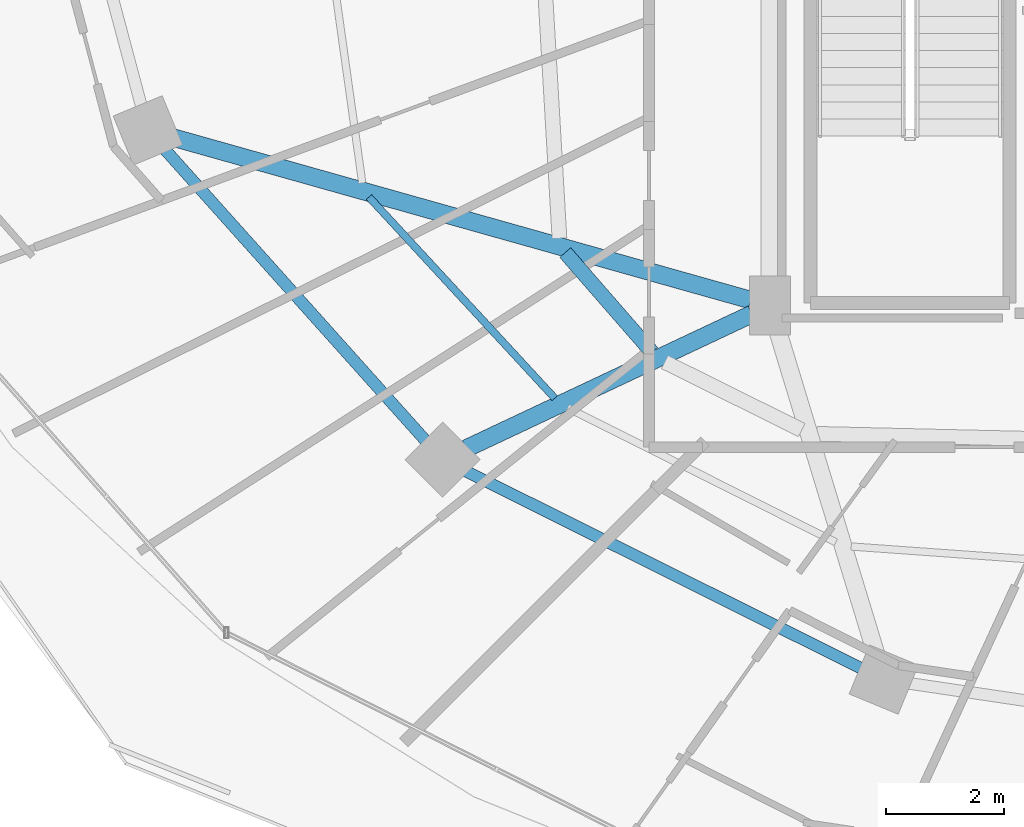
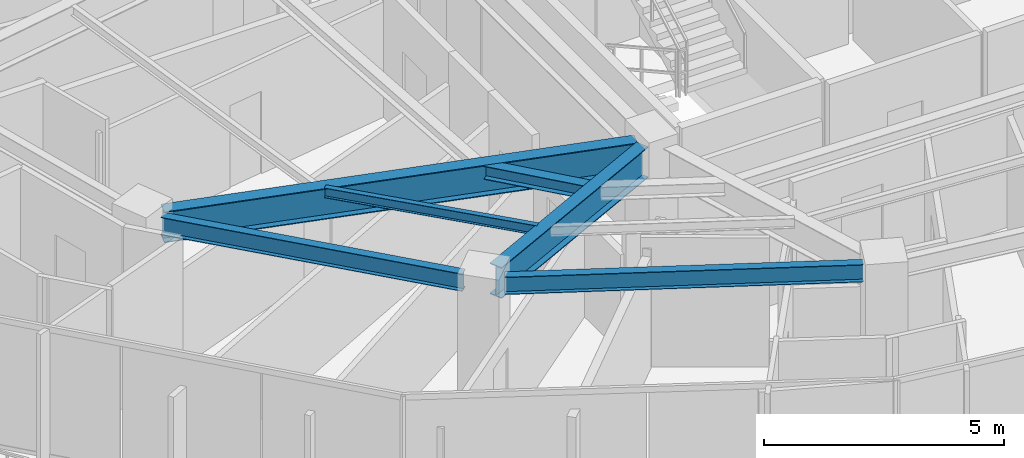
# One storey, part 4 of 33: 6 beams.
"""IFC4 building model written with IfcOpenShell, lengths in metres."""

from ifc_helpers import new_model, si_unit, direction, frame, origin, origin_2d, place, context, subcontext, project, spatial, i_section, extrude, material, material_profile, profile_set, type_object, element, save


model = new_model("IFC4")

# Units and contexts
model_context = context("Model", 3, precision=1e-05, world=origin(), true_north=direction((0.0, 1.0)))
body_context = subcontext(model_context, "Body", "Model", "MODEL_VIEW")
ifc_project = project(units=[si_unit("LENGTHUNIT", "METRE"), si_unit("AREAUNIT", "SQUARE_METRE"), si_unit("VOLUMEUNIT", "CUBIC_METRE"), si_unit("PLANEANGLEUNIT", "RADIAN"), si_unit("MASSUNIT", "GRAM", prefix="KILO")], contexts=[model_context])

# Site, building, storey
site_placement = place(None, origin())
site = spatial("IfcSite", under=ifc_project, at=site_placement, CompositionType="ELEMENT")
building_placement = place(site_placement, origin())
building = spatial("IfcBuilding", under=site, at=building_placement, Name="Vorneva Point Tower", CompositionType="ELEMENT")
storey_placement = place(building_placement, frame((0.0, 0.0, 200.10009765625)))
storey = spatial("IfcBuildingStorey", under=building, at=storey_placement, Name="L54", CompositionType="ELEMENT", Elevation=200.10009765625)

# Beams
ifc_material = material(Name="Steel S355", Category="steel")
ifc_material_profile_1 = material_profile(ifc_material, i_section(OverallWidth=0.300048828125, OverallDepth=0.7880859375, WebThickness=0.014404296875, FlangeThickness=0.02197265625, at=origin_2d()), Name="80Sh1")
ifc_profile_set_1 = profile_set([ifc_material_profile_1], Name="Steel S355")
beam_type_1 = type_object("IfcBeamType", Name="BM-GRD-80Sh1", PredefinedType="USERDEFINED", material=ifc_profile_set_1)
beam_1_placement = place(storey_placement, frame((17.126220703125, 19.299072265625, 2.89599609375), z_axis=(0.962603641144, -0.270913694847, 0.0), x_axis=(0.270913694847, 0.962603641144, 0.0)))
element("IfcBeam", 1, at=beam_1_placement, inside=storey, type_object=beam_type_1, Name="L54 Radial Primary Girder 10", ObjectType="GIRDER", PredefinedType="USERDEFINED", context=body_context, shape_type="SweptSolid", body=[
    extrude(i_section(OverallWidth=0.300048828125, OverallDepth=0.7880859375, WebThickness=0.014404296875, FlangeThickness=0.02197265625, at=origin_2d()), origin(), (0.0, 0.0, 1.0), 10.177001953125),
])
beam_2_placement = place(storey_placement, frame((22.097412109375, 14.0244140625, 2.89599609375), z_axis=(0.904762899762, 0.42591559635, 0.0), x_axis=(-0.42591559635, 0.904762899762, 0.0)))
element("IfcBeam", 2, at=beam_2_placement, inside=storey, type_object=beam_type_1, Name="L54 Radial Primary Girder 11", ObjectType="GIRDER", PredefinedType="USERDEFINED", context=body_context, shape_type="SweptSolid", body=[
    extrude(i_section(OverallWidth=0.300048828125, OverallDepth=0.7880859375, WebThickness=0.014404296875, FlangeThickness=0.02197265625, at=origin_2d()), origin(), (0.0, 0.0, 1.0), 5.35498046875),
])
ifc_material_profile_2 = material_profile(ifc_material, i_section(OverallWidth=0.1240234375, OverallDepth=0.248046875, WebThickness=0.0048828125, FlangeThickness=0.008056640625, at=origin_2d()), Name="25B1")
ifc_profile_set_2 = profile_set([ifc_material_profile_2], Name="Steel S355")
beam_type_2 = type_object("IfcBeamType", Name="BM-JST-25B1", PredefinedType="JOIST", material=ifc_profile_set_2)
beam_3_placement = place(storey_placement, frame((20.45263671875, 18.287841796875, 3.166015625), z_axis=(0.678627352567, -0.734482754289, 0.0), x_axis=(0.734482754289, 0.678627352567, 0.0)))
element("IfcBeam", 3, at=beam_3_placement, inside=storey, type_object=beam_type_2, Name="L54 Secondary Floor Beam 1.10", PredefinedType="JOIST", context=body_context, shape_type="SweptSolid", body=[
    extrude(i_section(OverallWidth=0.1240234375, OverallDepth=0.248046875, WebThickness=0.0048828125, FlangeThickness=0.008056640625, at=origin_2d()), origin(), (0.0, 0.0, 1.0), 4.641845703125),
])
ifc_material_profile_3 = material_profile(ifc_material, i_section(OverallWidth=0.2490234375, OverallDepth=0.333984375, WebThickness=0.008056640625, FlangeThickness=0.010986328125, at=origin_2d()), Name="35Sh1")
ifc_profile_set_3 = profile_set([ifc_material_profile_3], Name="Steel S355")
beam_type_3 = type_object("IfcBeamType", Name="BM-SEC-35Sh1", PredefinedType="BEAM", material=ifc_profile_set_3)
beam_4_placement = place(storey_placement, frame((23.780517578125, 17.347900390625, 3.122802734375), z_axis=(0.656591007915, -0.754246808628, 0.0), x_axis=(0.754246808628, 0.656591007915, 0.0)))
element("IfcBeam", 4, at=beam_4_placement, inside=storey, type_object=beam_type_3, Name="L54 Secondary Floor Beam 2.10", PredefinedType="BEAM", context=body_context, shape_type="SweptSolid", body=[
    extrude(i_section(OverallWidth=0.2490234375, OverallDepth=0.333984375, WebThickness=0.008056640625, FlangeThickness=0.010986328125, at=origin_2d()), origin(), (0.0, 0.0, 1.0), 2.242431640625),
])
ifc_material_profile_4 = material_profile(ifc_material, i_section(OverallWidth=0.198974609375, OverallDepth=0.446044921875, WebThickness=0.008056640625, FlangeThickness=0.011962890625, at=origin_2d()), Name="45B1")
ifc_profile_set_4 = profile_set([ifc_material_profile_4], Name="Steel S355")
beam_type_4 = type_object("IfcBeamType", Name="BM-SPN-45B1", PredefinedType="SPANDREL", material=ifc_profile_set_4)
beam_5_placement = place(storey_placement, frame((16.994873046875, 19.09375, 3.06689453125), z_axis=(0.66706970547, -0.744995307397, 0.0), x_axis=(0.744995307397, 0.66706970547, 0.0)))
element("IfcBeam", 5, at=beam_5_placement, inside=storey, type_object=beam_type_4, Name="L54 Perimeter Spandrel Ring Beam 10", PredefinedType="SPANDREL", context=body_context, shape_type="SweptSolid", body=[
    extrude(i_section(OverallWidth=0.198974609375, OverallDepth=0.446044921875, WebThickness=0.008056640625, FlangeThickness=0.011962890625, at=origin_2d()), origin(), (0.0, 0.0, 1.0), 6.6201171875),
])
beam_6_placement = place(storey_placement, frame((22.090576171875, 13.643798828125, 3.06689453125), z_axis=(0.894922371084, -0.446221861559, 0.0), x_axis=(0.446221861559, 0.894922371084, 0.0)))
element("IfcBeam", 6, at=beam_6_placement, inside=storey, type_object=beam_type_4, Name="L54 Perimeter Spandrel Ring Beam 11", PredefinedType="SPANDREL", context=body_context, shape_type="SweptSolid", body=[
    extrude(i_section(OverallWidth=0.198974609375, OverallDepth=0.446044921875, WebThickness=0.008056640625, FlangeThickness=0.011962890625, at=origin_2d()), origin(), (0.0, 0.0, 1.0), 7.48583984375),
])

save(model, "model.ifc")
